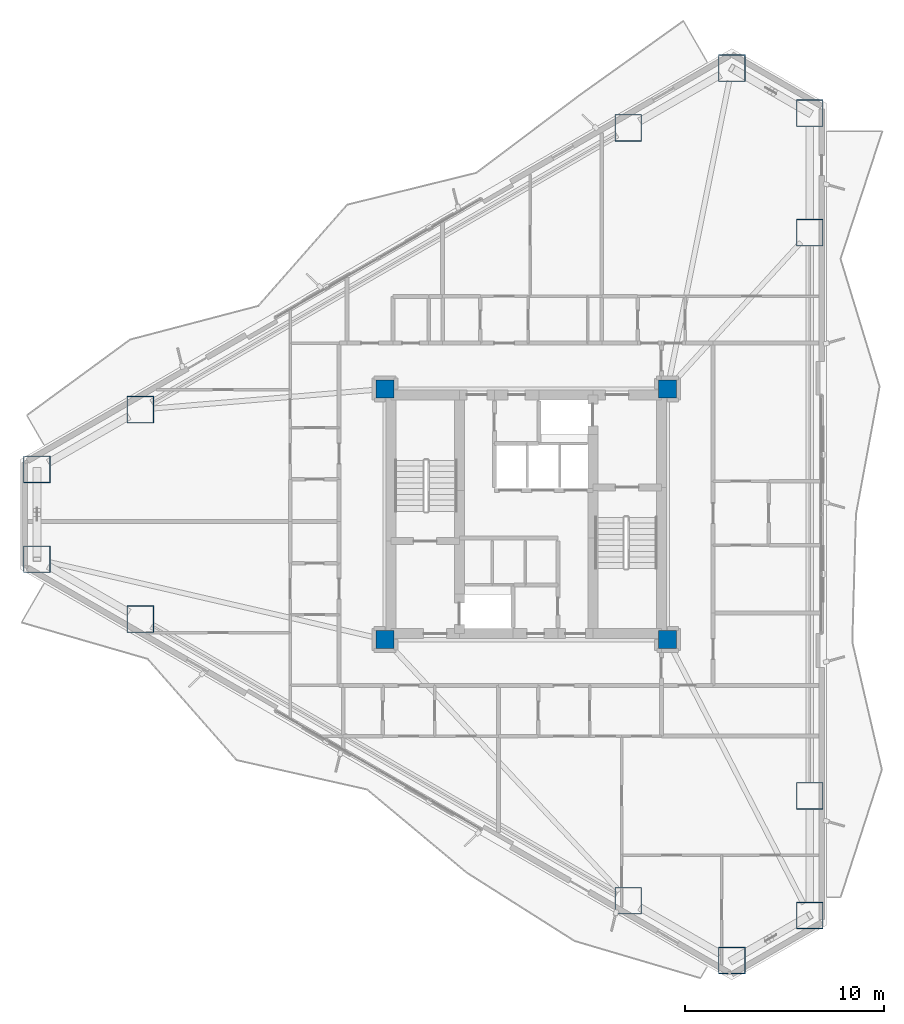
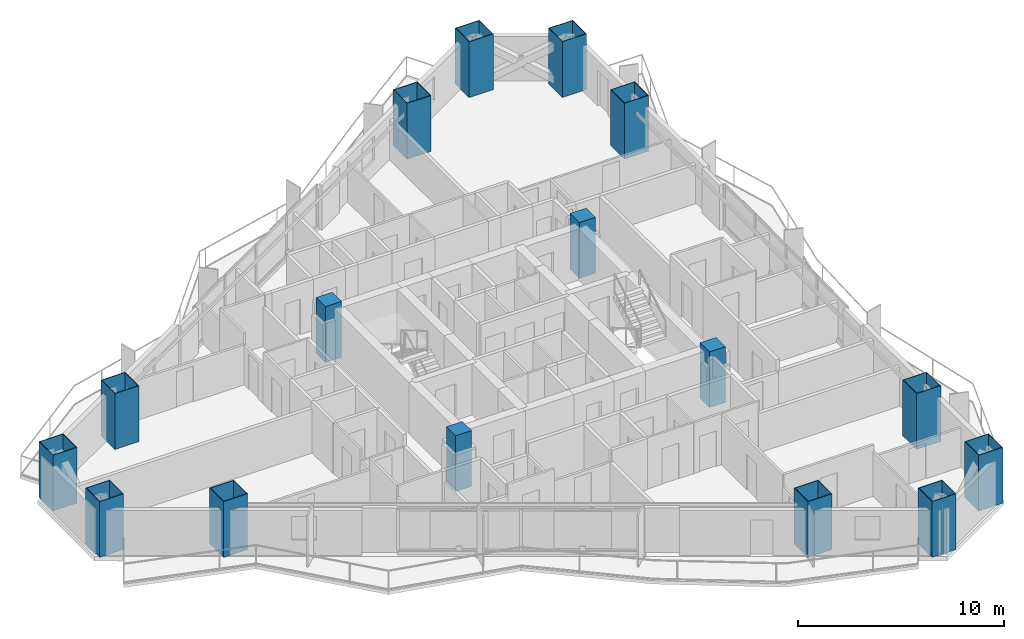
# One storey, part 1 of 18: 16 columns.
"""IFC4 building model written with IfcOpenShell, lengths in metres."""

from ifc_helpers import new_model, si_unit, direction, frame, origin, origin_2d, place, context, subcontext, project, spatial, rectangle, hollow_rectangle, extrude, material, material_profile, profile_set, type_object, element, save


model = new_model("IFC4")

# Units and contexts
model_context = context("Model", 3, precision=1e-05, world=origin(), true_north=direction((0.0, 1.0)))
body_context = subcontext(model_context, "Body", "Model", "MODEL_VIEW")
ifc_project = project(units=[si_unit("LENGTHUNIT", "METRE"), si_unit("AREAUNIT", "SQUARE_METRE"), si_unit("VOLUMEUNIT", "CUBIC_METRE"), si_unit("PLANEANGLEUNIT", "RADIAN"), si_unit("MASSUNIT", "GRAM", prefix="KILO")], contexts=[model_context])

# Site, building, storey
site_placement = place(None, origin())
site = spatial("IfcSite", under=ifc_project, at=site_placement, CompositionType="ELEMENT")
building_placement = place(site_placement, origin())
building = spatial("IfcBuilding", under=site, at=building_placement, Name="Mersakhor Tower and Convention Hall", CompositionType="ELEMENT")
storey_placement = place(building_placement, frame((0.0, 0.0, 58.800048828125)))
storey = spatial("IfcBuildingStorey", under=building, at=storey_placement, Name="L16", CompositionType="ELEMENT", Elevation=58.800048828125)

# Columns
ifc_material_1 = material(Name="Concrete C70/85 in S460M steel box", Category="concrete")
ifc_material_profile_1 = material_profile(ifc_material_1, hollow_rectangle(XDim=1.35009765625, YDim=1.35009765625, WallThickness=0.035888671875, at=origin_2d()), Name="SHS 1350x1350x36")
ifc_profile_set_1 = profile_set([ifc_material_profile_1], Name="Concrete C70/85 in S460M steel box")
column_type_1 = type_object("IfcColumnType", Name="COL-CFT-1350", PredefinedType="COLUMN", material=ifc_profile_set_1)
for number, where, z_axis, x_axis, name in (
    (1, (4.4130859375, 29.00927734375, 0.0), (0.0, 0.0, 1.0), (1.0, 0.0, 0.0), "L16 Perimeter Mega-Column MC-01"),
    (2, (9.61669921875, 32.013671875, 0.0), (0.0, 0.0, 1.0), (1.0, 0.0, 0.0), "L16 Perimeter Mega-Column MC-02"),
    (3, (34.13330078125, 46.168212890625, 0.0), (0.0, 0.0, 1.0), (1.0, 0.0, 0.0), "L16 Perimeter Mega-Column MC-03"),
    (4, (39.3369140625, 49.172607421875, 0.0), (0.0, 0.0, 1.0), (1.0, 0.0, 0.0), "L16 Perimeter Mega-Column MC-04"),
    (5, (43.25, 46.913330078125, 0.0), (0.0, 0.0, 1.0), (1.0, 0.0, 0.0), "L16 Perimeter Mega-Column MC-05"),
    (6, (43.25, 40.904541015625, 0.0), (0.0, 0.0, 1.0), (1.0, 0.0, 0.0), "L16 Perimeter Mega-Column MC-06"),
    (7, (43.25, 12.595458984375, 0.0), (0.0, 0.0, 1.0), (1.0, 0.0, 0.0), "L16 Perimeter Mega-Column MC-07"),
    (8, (43.25, 6.586669921875, 0.0), (0.0, 0.0, 1.0), (1.0, 0.0, 0.0), "L16 Perimeter Mega-Column MC-08"),
    (9, (39.3369140625, 4.327392578125, 0.0), (0.0, 0.0, 1.0), (1.0, 0.0, 0.0), "L16 Perimeter Mega-Column MC-09"),
    (10, (34.13330078125, 7.331787109375, 0.0), (0.0, 0.0, 1.0), (1.0, 0.0, 0.0), "L16 Perimeter Mega-Column MC-10"),
    (11, (9.61669921875, 21.486328125, 0.0), (0.0, 0.0, 1.0), (1.0, 0.0, 0.0), "L16 Perimeter Mega-Column MC-11"),
    (12, (4.4130859375, 24.49072265625, 0.0), (0.0, 0.0, 1.0), (1.0, 0.0, 0.0), "L16 Perimeter Mega-Column MC-12"),
):
    element("IfcColumn", number, at=place(storey_placement, frame(where, z_axis=z_axis, x_axis=x_axis)), inside=storey, type_object=column_type_1, Name=name, PredefinedType="COLUMN", context=body_context, shape_type="SweptSolid", body=[
        extrude(hollow_rectangle(XDim=1.35009765625, YDim=1.35009765625, WallThickness=0.035888671875, at=origin_2d()), origin(), (0.0, 0.0, 1.0), 3.300048828125),
    ])
ifc_material_2 = material(Name="Concrete C60/75", Category="concrete")
ifc_material_profile_2 = material_profile(ifc_material_2, rectangle(XDim=0.89990234375, YDim=0.89990234375, at=origin_2d()), Name="RC 900x900")
ifc_profile_set_2 = profile_set([ifc_material_profile_2], Name="Concrete C60/75")
column_type_2 = type_object("IfcColumnType", Name="COL-RC-900", PredefinedType="COLUMN", material=ifc_profile_set_2)
for number, where, z_axis, x_axis, name in (
    (13, (21.89990234375, 20.449951171875, 0.0), (0.0, 0.0, 1.0), (1.0, 0.0, 0.0), "L16 Core Corner Column CC-1"),
    (14, (21.89990234375, 33.050048828125, 0.0), (0.0, 0.0, 1.0), (1.0, 0.0, 0.0), "L16 Core Corner Column CC-2"),
    (15, (36.10009765625, 33.050048828125, 0.0), (0.0, 0.0, 1.0), (1.0, 0.0, 0.0), "L16 Core Corner Column CC-3"),
    (16, (36.10009765625, 20.449951171875, 0.0), (0.0, 0.0, 1.0), (1.0, 0.0, 0.0), "L16 Core Corner Column CC-4"),
):
    element("IfcColumn", number, at=place(storey_placement, frame(where, z_axis=z_axis, x_axis=x_axis)), inside=storey, type_object=column_type_2, Name=name, PredefinedType="COLUMN", context=body_context, shape_type="SweptSolid", body=[
        extrude(rectangle(XDim=0.89990234375, YDim=0.89990234375, at=origin_2d()), origin(), (0.0, 0.0, 1.0), 3.300048828125),
    ])

save(model, "model.ifc")
